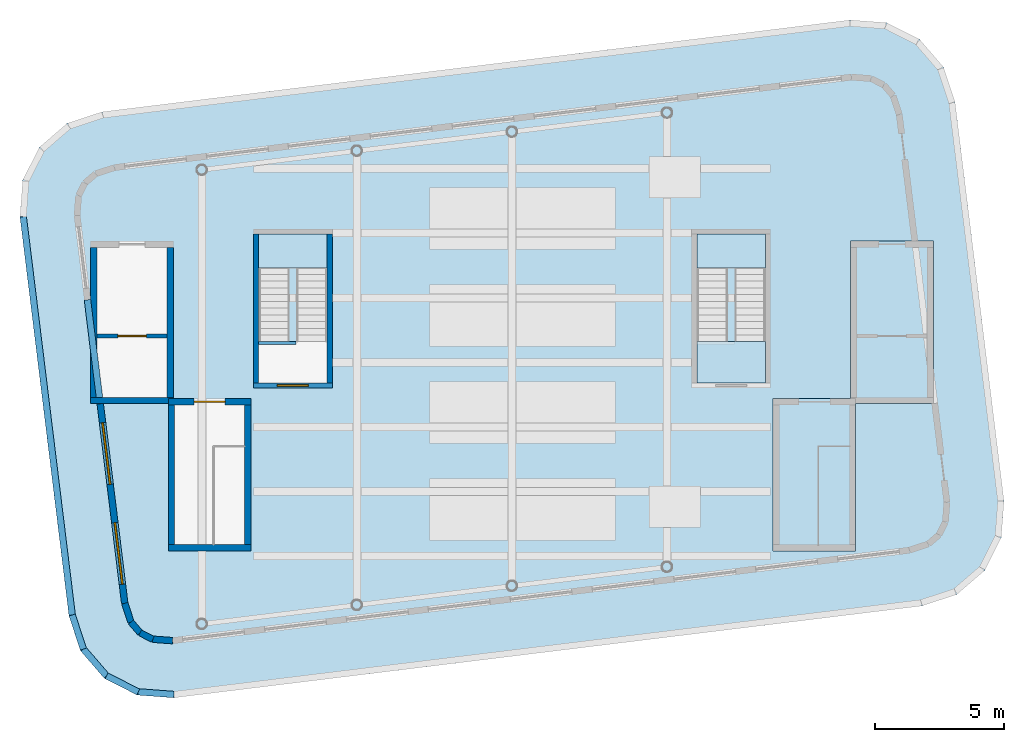
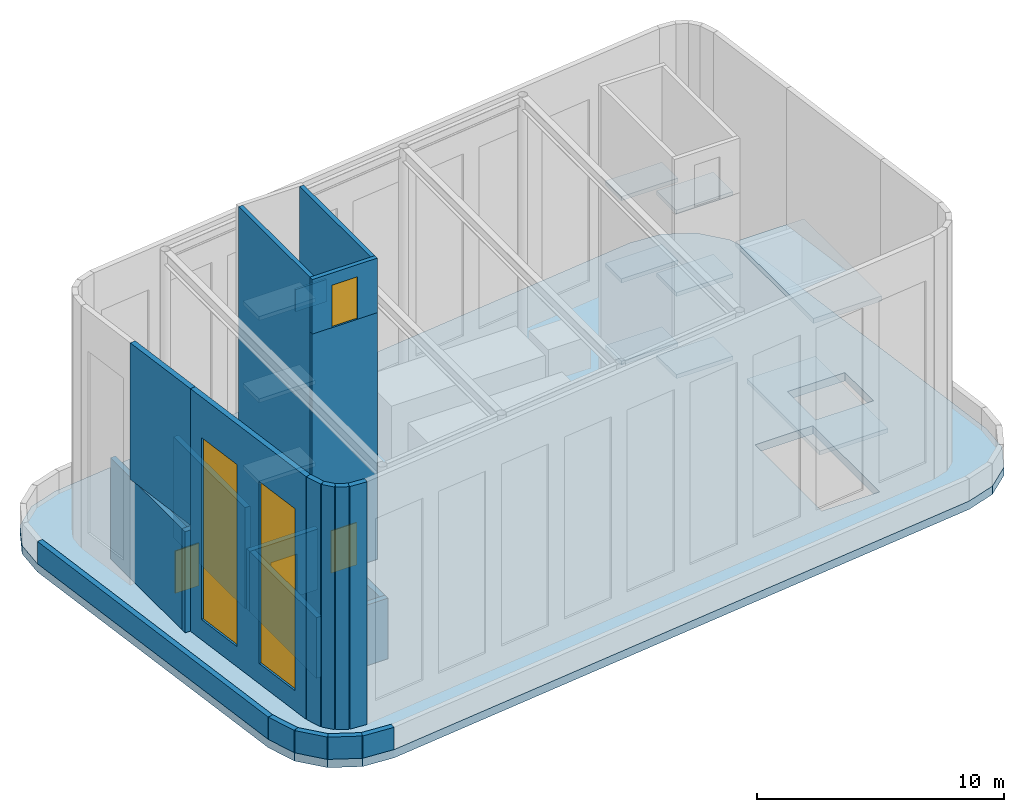
# One storey, part 2 of 7: 24 walls, 12 slabs, 4 doors, 2 windows, 6 openings, 2 elements without a shape of their own.
"""IFC4 building model written with IfcOpenShell, lengths in metres."""

from ifc_helpers import new_model, si_unit, direction, frame, frame_2d, origin, place, context, subcontext, project, spatial, polyline, rectangle, outline, extrude, material, layer, layer_set, type_object, element, fill, aggregate, save


model = new_model("IFC4")

# Units and contexts
model_context = context("Model", 3, precision=1e-05, world=origin(), true_north=direction((0.0, 1.0)))
body_context = subcontext(model_context, "Body", "Model", "MODEL_VIEW")
ifc_project = project(units=[si_unit("LENGTHUNIT", "METRE"), si_unit("AREAUNIT", "SQUARE_METRE"), si_unit("VOLUMEUNIT", "CUBIC_METRE"), si_unit("PLANEANGLEUNIT", "RADIAN"), si_unit("MASSUNIT", "GRAM", prefix="KILO")], contexts=[model_context])

# Site, building, storey
site_placement = place(None, origin())
site = spatial("IfcSite", under=ifc_project, at=site_placement, CompositionType="ELEMENT")
building_placement = place(site_placement, origin())
building = spatial("IfcBuilding", under=site, at=building_placement, Name="Torana Hotel and Residences", CompositionType="ELEMENT")
storey_placement = place(building_placement, frame((0.0, 0.0, 363.39990234375)))
storey = spatial("IfcBuildingStorey", under=building, at=storey_placement, Name="RF", CompositionType="ELEMENT", Elevation=363.39990234375)

# Slabs
ifc_material_1 = material(Name="Concrete C40/50", Category="concrete")
ifc_layer_1 = layer(ifc_material_1, 0.409912109375)
ifc_layer_set_1 = layer_set([ifc_layer_1], Name="FLOOR SLAB PT 410")
slab_type_1 = type_object("IfcSlabType", Name="FLOOR SLAB PT 410", PredefinedType="FLOOR", material=ifc_layer_set_1)
slab_1_placement = place(storey_placement, frame((0.0, 0.0, -0.409912109375)))
element("IfcSlab", 1, at=slab_1_placement, inside=storey, type_object=slab_type_1, Name="Roof deck slab", PredefinedType="FLOOR", context=body_context, shape_type="SweptSolid", body=[
    extrude(outline(polyline([(17.1416015625, 2.57421875), (16.696044921875, 3.9248046875), (15.767822265625, 5.002197265625), (14.497802734375, 5.642333984375), (13.07958984375, 5.747802734375), (-15.86328125, 2.194091796875), (-17.2138671875, 1.74853515625), (-18.291259765625, 0.8203125), (-18.931396484375, -0.44970703125), (-19.036865234375, -1.867919921875), (-17.1416015625, -17.30419921875), (-16.696044921875, -18.65478515625), (-15.767822265625, -19.732177734375), (-14.497802734375, -20.372314453125), (-13.07958984375, -20.477783203125), (15.86328125, -16.924072265625), (17.2138671875, -16.478515625), (18.291259765625, -15.55029296875), (18.931396484375, -14.2802734375), (19.036865234375, -12.862060546875), (17.1416015625, 2.57421875)]), holes=[polyline([(-13.050048828125, -14.550048828125), (-10.35009765625, -14.550048828125), (-10.35009765625, -9.14990234375), (-13.050048828125, -9.14990234375), (-13.050048828125, -14.550048828125)]), polyline([(10.35009765625, -14.550048828125), (13.050048828125, -14.550048828125), (13.050048828125, -9.14990234375), (10.35009765625, -9.14990234375), (10.35009765625, -14.550048828125)]), polyline([(-16.050048828125, -8.85009765625), (-13.35009765625, -8.85009765625), (-13.35009765625, -6.550048828125), (-16.050048828125, -6.550048828125), (-16.050048828125, -8.85009765625)]), polyline([(13.35009765625, -8.85009765625), (16.050048828125, -8.85009765625), (16.050048828125, -6.550048828125), (13.35009765625, -6.550048828125), (13.35009765625, -8.85009765625)])]), origin(), (0.0, 0.0, 1.0), 0.409912109375),
])
ifc_material_2 = material(Name="Concrete C40/50", Category="concrete")
ifc_layer_2 = layer(ifc_material_2, 0.199951171875)
ifc_layer_set_2 = layer_set([ifc_layer_2], Name="HEAD-HOUSE ROOF SLAB 200")
slab_type_2 = type_object("IfcSlabType", Name="HEAD-HOUSE ROOF SLAB 200", PredefinedType="ROOF", material=ifc_layer_set_2)
slab_2_placement = place(storey_placement, frame((0.0, 0.0, 3.0)))
element("IfcSlab", 2, at=slab_2_placement, inside=storey, type_object=slab_type_2, Name="Stair head-house roof ST3", PredefinedType="ROOF", context=body_context, shape_type="SweptSolid", body=[
    extrude(outline(polyline([(10.10009765625, -14.800048828125), (13.300048828125, -14.800048828125), (13.300048828125, -8.89990234375), (10.10009765625, -8.89990234375), (10.10009765625, -14.800048828125)])), origin(), (0.0, 0.0, 1.0), 0.2001953125),
])
ifc_material_3 = material(Name="Concrete C40/50", Category="concrete")
ifc_layer_3 = layer(ifc_material_3, 0.25)
ifc_layer_set_3 = layer_set([ifc_layer_3], Name="LIFT PENTHOUSE ROOF SLAB 250")
slab_type_3 = type_object("IfcSlabType", Name="LIFT PENTHOUSE ROOF SLAB 250", PredefinedType="ROOF", material=ifc_layer_set_3)
slab_3_placement = place(storey_placement, frame((0.0, 0.0, 5.0)))
element("IfcSlab", 3, at=slab_3_placement, inside=storey, type_object=slab_type_3, Name="Lift penthouse roof E", PredefinedType="ROOF", context=body_context, shape_type="SweptSolid", body=[
    extrude(outline(polyline([(13.10009765625, -9.10009765625), (16.300048828125, -9.10009765625), (16.300048828125, -2.800048828125), (13.10009765625, -2.800048828125), (13.10009765625, -9.10009765625)])), origin(), (0.0, 0.0, 1.0), 0.25),
])

# Stair, slabs
ifc_material_4 = material(Name="Concrete C40/50 precast", Category="concrete")
stair_type_1 = type_object("IfcStairType", Name="STAIR ST6 HALF TURN 1200", PredefinedType="HALF_TURN_STAIR", material=ifc_material_4)
stair_1_placement = place(storey_placement, origin())
stair_1 = element("IfcStair", 4, at=stair_1_placement, inside=storey, type_object=stair_type_1, Name="Stair ST6 to the plant roof", PredefinedType="HALF_TURN_STAIR")
ifc_material_5 = material(Name="Concrete C40/50 precast", Category="concrete")
ifc_layer_4 = layer(ifc_material_5, 0.199951171875)
ifc_layer_set_4 = layer_set([ifc_layer_4], Name="STAIR LANDING 200")
slab_type_4 = type_object("IfcSlabType", Name="STAIR LANDING 200", PredefinedType="LANDING", material=ifc_layer_set_4)
slab_4_placement = place(storey_placement, frame((0.0, 0.0, 1.83349609375)))
slab_4 = element("IfcSlab", 5, at=slab_4_placement, type_object=slab_type_4, Name="ST6 landing 1", PredefinedType="LANDING", context=body_context, shape_type="SweptSolid", body=[
    extrude(outline(polyline([(-9.800048828125, -3.840087890625), (-7.14990234375, -3.840087890625), (-7.14990234375, -2.5400390625), (-9.800048828125, -2.5400390625), (-9.800048828125, -3.840087890625)])), origin(), (0.0, 0.0, 1.0), 0.199951171875),
])
slab_5_placement = place(storey_placement, frame((0.0, 0.0, 5.900146484375)))
slab_5 = element("IfcSlab", 6, at=slab_5_placement, type_object=slab_type_4, Name="ST6 landing 2", PredefinedType="LANDING", context=body_context, shape_type="SweptSolid", body=[
    extrude(outline(polyline([(-9.800048828125, -3.840087890625), (-7.14990234375, -3.840087890625), (-7.14990234375, -2.5400390625), (-9.800048828125, -2.5400390625), (-9.800048828125, -3.840087890625)])), origin(), (0.0, 0.0, 1.0), 0.199951171875),
])
slab_6_placement = place(storey_placement, frame((0.0, 0.0, 9.966796875)))
slab_6 = element("IfcSlab", 7, at=slab_6_placement, type_object=slab_type_4, Name="ST6 landing 4", PredefinedType="LANDING", context=body_context, shape_type="SweptSolid", body=[
    extrude(outline(polyline([(-9.800048828125, -3.840087890625), (-7.14990234375, -3.840087890625), (-7.14990234375, -2.5400390625), (-9.800048828125, -2.5400390625), (-9.800048828125, -3.840087890625)])), origin(), (0.0, 0.0, 1.0), 0.199951171875),
])
aggregate(stair_1, [slab_4, slab_5, slab_6])

ifc_material_6 = material(Name="Concrete C40/50 precast", Category="concrete")
stair_type_2 = type_object("IfcStairType", Name="STAIR ST7 HALF TURN 1200", PredefinedType="HALF_TURN_STAIR", material=ifc_material_6)
stair_2_placement = place(storey_placement, origin())
stair_2 = element("IfcStair", 8, at=stair_2_placement, inside=storey, type_object=stair_type_2, Name="Stair ST7 to the plant roof", PredefinedType="HALF_TURN_STAIR")
slab_7_placement = place(storey_placement, frame((0.0, 0.0, 1.83349609375)))
slab_7 = element("IfcSlab", 9, at=slab_7_placement, type_object=slab_type_4, Name="ST7 landing 1", PredefinedType="LANDING", context=body_context, shape_type="SweptSolid", body=[
    extrude(outline(polyline([(7.14990234375, -3.840087890625), (9.800048828125, -3.840087890625), (9.800048828125, -2.5400390625), (7.14990234375, -2.5400390625), (7.14990234375, -3.840087890625)])), origin(), (0.0, 0.0, 1.0), 0.199951171875),
])
slab_8_placement = place(storey_placement, frame((0.0, 0.0, 5.900146484375)))
slab_8 = element("IfcSlab", 10, at=slab_8_placement, type_object=slab_type_4, Name="ST7 landing 2", PredefinedType="LANDING", context=body_context, shape_type="SweptSolid", body=[
    extrude(outline(polyline([(7.14990234375, -3.840087890625), (9.800048828125, -3.840087890625), (9.800048828125, -2.5400390625), (7.14990234375, -2.5400390625), (7.14990234375, -3.840087890625)])), origin(), (0.0, 0.0, 1.0), 0.199951171875),
])
slab_9_placement = place(storey_placement, frame((0.0, 0.0, 3.86669921875)))
slab_9 = element("IfcSlab", 11, at=slab_9_placement, type_object=slab_type_4, Name="ST7 landing 3", PredefinedType="LANDING", context=body_context, shape_type="SweptSolid", body=[
    extrude(outline(polyline([(7.14990234375, -8.300048828125), (9.800048828125, -8.300048828125), (9.800048828125, -6.699951171875), (7.14990234375, -6.699951171875), (7.14990234375, -8.300048828125)])), origin(), (0.0, 0.0, 1.0), 0.2001953125),
])
slab_10_placement = place(storey_placement, frame((0.0, 0.0, 9.966796875)))
slab_10 = element("IfcSlab", 12, at=slab_10_placement, type_object=slab_type_4, Name="ST7 landing 4", PredefinedType="LANDING", context=body_context, shape_type="SweptSolid", body=[
    extrude(outline(polyline([(7.14990234375, -3.840087890625), (9.800048828125, -3.840087890625), (9.800048828125, -2.5400390625), (7.14990234375, -2.5400390625), (7.14990234375, -3.840087890625)])), origin(), (0.0, 0.0, 1.0), 0.199951171875),
])
slab_11_placement = place(storey_placement, frame((0.0, 0.0, 7.933349609375)))
slab_11 = element("IfcSlab", 13, at=slab_11_placement, type_object=slab_type_4, Name="ST7 landing 5", PredefinedType="LANDING", context=body_context, shape_type="SweptSolid", body=[
    extrude(outline(polyline([(7.14990234375, -8.300048828125), (9.800048828125, -8.300048828125), (9.800048828125, -6.699951171875), (7.14990234375, -6.699951171875), (7.14990234375, -8.300048828125)])), origin(), (0.0, 0.0, 1.0), 0.199951171875),
])
slab_12_placement = place(storey_placement, frame((0.0, 0.0, 12.0)))
slab_12 = element("IfcSlab", 14, at=slab_12_placement, type_object=slab_type_4, Name="ST7 landing 6", PredefinedType="LANDING", context=body_context, shape_type="SweptSolid", body=[
    extrude(outline(polyline([(7.14990234375, -8.300048828125), (9.800048828125, -8.300048828125), (9.800048828125, -6.699951171875), (7.14990234375, -6.699951171875), (7.14990234375, -8.300048828125)])), origin(), (0.0, 0.0, 1.0), 0.2001953125),
])
aggregate(stair_2, [slab_7, slab_8, slab_9, slab_10, slab_11, slab_12])

# Wall, opening, door
ifc_material_7 = material(Name="Concrete C50/60", Category="concrete")
ifc_layer_5 = layer(ifc_material_7, 0.25)
ifc_layer_set_5 = layer_set([ifc_layer_5], Name="CORE WALL 250 C50/60")
wall_type_1 = type_object("IfcWallType", Name="CORE WALL 250 C50/60", PredefinedType="SHEAR", material=ifc_layer_set_5)
wall_1_placement = place(storey_placement, frame((-13.300048828125, -9.02490234375, 0.0), z_axis=(0.0, 0.0, 1.0), x_axis=(1.0, 0.0, 0.0)))
wall_1 = element("IfcWall", 15, at=wall_1_placement, inside=storey, type_object=wall_type_1, Name="Stair head-house wall ST1", PredefinedType="SHEAR", context=body_context, shape_type="SweptSolid", body=[
    extrude(rectangle(XDim=3.199951171875, YDim=0.25, at=frame_2d((1.60009765625, 0.0))), origin(), (0.0, 0.0, 1.0), 3.0),
])
opening_1_placement = place(wall_1_placement, frame((1.0, 0.0, 0.0)))
opening_1 = element("IfcOpeningElement", 16, at=opening_1_placement, cuts=wall_1, Name="Opening RF-02", PredefinedType="OPENING", context=body_context, shape_type="SweptSolid", body=[
    extrude(rectangle(XDim=1.199951171875, YDim=2.10009765625, at=frame_2d((0.60009765625, 1.050048828125))), frame((0.0, 0.135009765625, 0.0), z_axis=(0.0, -1.0, 0.0), x_axis=(1.0, 0.0, 0.0)), (0.0, 0.0, 1.0), 0.27001953125),
])
ifc_material_8 = material(Name="Steel S235", Category="steel")
door_type_1 = type_object("IfcDoorType", Name="STAIR FIRE DOOR D3 1200x2100", OperationType="SINGLE_SWING_LEFT", PredefinedType="DOOR", material=ifc_material_8)
door_1_placement = place(opening_1_placement, frame((0.60009765625, 0.0, 0.0), z_axis=(0.0, 0.0, 1.0), x_axis=(-1.0, 0.0, 0.0)))
door_1 = element("IfcDoor", 17, at=door_1_placement, inside=storey, type_object=door_type_1, Name="Stair ST1 head-house door", OperationType="SINGLE_SWING_LEFT", OverallHeight=2.10009765625, OverallWidth=1.199951171875, PredefinedType="DOOR", context=body_context, shape_type="SweptSolid", body=[
    extrude(rectangle(XDim=1.199951171875, YDim=2.10009765625, at=frame_2d((0.0, 1.050048828125))), frame((0.0, -0.02490234375, 0.0), z_axis=(0.0, 1.0, 0.0), x_axis=(-1.0, 0.0, 0.0)), (0.0, 0.0, 1.0), 0.050048828125),
])
fill(opening_1, door_1)

# Walls
wall_2_placement = place(storey_placement, frame((-13.300048828125, -14.675048828125, 0.0), z_axis=(0.0, 0.0, 1.0), x_axis=(1.0, 0.0, 0.0)))
element("IfcWall", 18, at=wall_2_placement, inside=storey, type_object=wall_type_1, Name="Stair head-house wall ST1", PredefinedType="SHEAR", context=body_context, shape_type="SweptSolid", body=[
    extrude(rectangle(XDim=3.199951171875, YDim=0.25, at=frame_2d((1.60009765625, 0.0))), origin(), (0.0, 0.0, 1.0), 3.0),
])
for number, where, z_axis, x_axis, name in (
    (19, (-13.175048828125, -14.550048828125, 0.0), (0.0, 0.0, 1.0), (0.0, 1.0, 0.0), "Stair head-house wall ST1"),
    (20, (-10.22509765625, -14.550048828125, 0.0), (0.0, 0.0, 1.0), (0.0, 1.0, 0.0), "Stair head-house wall ST1"),
):
    element("IfcWall", number, at=place(storey_placement, frame(where, z_axis=z_axis, x_axis=x_axis)), inside=storey, type_object=wall_type_1, Name=name, PredefinedType="SHEAR", context=body_context, shape_type="SweptSolid", body=[
        extrude(rectangle(XDim=5.400146484375, YDim=0.25, at=frame_2d((2.7001953125, 0.0))), origin(), (0.0, 0.0, 1.0), 3.0),
    ])
wall_3_placement = place(storey_placement, frame((-16.300048828125, -8.97509765625, 0.0), z_axis=(0.0, 0.0, 1.0), x_axis=(1.0, 0.0, 0.0)))
element("IfcWall", 21, at=wall_3_placement, inside=storey, type_object=wall_type_1, Name="Lift penthouse wall W", PredefinedType="SHEAR", context=body_context, shape_type="SweptSolid", body=[
    extrude(rectangle(XDim=3.199951171875, YDim=0.25, at=frame_2d((1.60009765625, 0.0))), origin(), (0.0, 0.0, 1.0), 5.0),
])
for number, where, z_axis, x_axis, name in (
    (22, (-16.175048828125, -8.85009765625, 0.0), (0.0, 0.0, 1.0), (0.0, 1.0, 0.0), "Lift penthouse wall W"),
    (23, (-13.22509765625, -8.85009765625, 0.0), (0.0, 0.0, 1.0), (0.0, 1.0, 0.0), "Lift penthouse wall W"),
):
    element("IfcWall", number, at=place(storey_placement, frame(where, z_axis=z_axis, x_axis=x_axis)), inside=storey, type_object=wall_type_1, Name=name, PredefinedType="SHEAR", context=body_context, shape_type="SweptSolid", body=[
        extrude(rectangle(XDim=5.800048828125, YDim=0.25, at=frame_2d((2.89990234375, 0.0))), origin(), (0.0, 0.0, 1.0), 5.0),
    ])
ifc_material_9 = material(Name="Aluminium louvre wall", Category="aluminium")
ifc_layer_6 = layer(ifc_material_9, 0.25)
ifc_layer_set_6 = layer_set([ifc_layer_6], Name="EW3 LOUVRE WALL 250")
wall_type_2 = type_object("IfcWallType", Name="EW3 LOUVRE WALL 250", PredefinedType="SOLIDWALL", material=ifc_layer_set_6)
wall_4_placement = place(storey_placement, frame((-13.132568359375, -18.267578125, 0.0), z_axis=(0.0, 0.0, 1.0), x_axis=(-0.997252988876, 0.074070751166, 0.0)))
element("IfcWall", 24, at=wall_4_placement, inside=storey, type_object=wall_type_2, Name="Plant enclosure louvre wall 7", PredefinedType="SOLIDWALL", context=body_context, shape_type="SweptSolid", body=[
    extrude(rectangle(XDim=0.76806640625, YDim=0.25, at=frame_2d((0.384033203125, 0.0))), origin(), (0.0, 0.0, 1.0), 12.0),
])
wall_5_placement = place(storey_placement, frame((-13.8984375, -18.210693359375, 0.0), z_axis=(0.0, 0.0, 1.0), x_axis=(-0.892993836049, 0.450068893369, 0.0)))
element("IfcWall", 25, at=wall_5_placement, inside=storey, type_object=wall_type_2, Name="Plant enclosure louvre wall 8", PredefinedType="SOLIDWALL", context=body_context, shape_type="SweptSolid", body=[
    extrude(rectangle(XDim=0.546875, YDim=0.25, at=frame_2d((0.2734375, 0.0))), origin(), (0.0, 0.0, 1.0), 12.0),
])
wall_6_placement = place(storey_placement, frame((-14.38671875, -17.964599609375, 0.0), z_axis=(0.0, 0.0, 1.0), x_axis=(-0.652957279605, 0.757394739228, 0.0)))
element("IfcWall", 26, at=wall_6_placement, inside=storey, type_object=wall_type_2, Name="Plant enclosure louvre wall 9", PredefinedType="SOLIDWALL", context=body_context, shape_type="SweptSolid", body=[
    extrude(rectangle(XDim=0.547119140625, YDim=0.25, at=frame_2d((0.2734375, 0.0))), origin(), (0.0, 0.0, 1.0), 12.0),
])
wall_7_placement = place(storey_placement, frame((-14.743896484375, -17.55029296875, 0.0), z_axis=(0.0, 0.0, 1.0), x_axis=(-0.313079340713, 0.949726974671, 0.0)))
element("IfcWall", 27, at=wall_7_placement, inside=storey, type_object=wall_type_2, Name="Plant enclosure louvre wall 10", PredefinedType="SOLIDWALL", context=body_context, shape_type="SweptSolid", body=[
    extrude(rectangle(XDim=0.76806640625, YDim=0.25, at=frame_2d((0.384033203125, 0.0))), origin(), (0.0, 0.0, 1.0), 12.0),
])

# Wall, openings, windows
wall_8_placement = place(storey_placement, frame((-14.984375, -16.82080078125, 0.0), z_axis=(0.0, 0.0, 1.0), x_axis=(-0.121855495288, 0.992547851878, 0.0)))
wall_8 = element("IfcWall", 28, at=wall_8_placement, inside=storey, type_object=wall_type_2, Name="Plant enclosure louvre wall 11", PredefinedType="SOLIDWALL", context=body_context, shape_type="SweptSolid", body=[
    extrude(rectangle(XDim=7.777587890625, YDim=0.25, at=frame_2d((3.888671875, 0.0))), origin(), (0.0, 0.0, 1.0), 12.0),
])
opening_2_placement = place(wall_8_placement, frame((0.744384765625, 0.0, 1.0)))
opening_2 = element("IfcOpeningElement", 29, at=opening_2_placement, cuts=wall_8, Name="Opening LV3", PredefinedType="OPENING", context=body_context, shape_type="SweptSolid", body=[
    extrude(rectangle(XDim=2.39990234375, YDim=9.0, at=frame_2d((1.199951171875, 4.5))), frame((0.0, 0.135009765625, 0.0), z_axis=(0.0, -1.0, 0.0), x_axis=(1.0, 0.0, 0.0)), (0.0, 0.0, 1.0), 0.27001953125),
])
opening_3_placement = place(wall_8_placement, frame((4.63330078125, 0.0, 1.0)))
opening_3 = element("IfcOpeningElement", 30, at=opening_3_placement, cuts=wall_8, Name="Opening LV3", PredefinedType="OPENING", context=body_context, shape_type="SweptSolid", body=[
    extrude(rectangle(XDim=2.39990234375, YDim=9.0, at=frame_2d((1.199951171875, 4.5))), frame((0.0, 0.135009765625, 0.0), z_axis=(0.0, -1.0, 0.0), x_axis=(1.0, 0.0, 0.0)), (0.0, 0.0, 1.0), 0.27001953125),
])
ifc_material_10 = material(Name="Aluminium louvre blades", Category="aluminium")
window_type = type_object("IfcWindowType", Name="LV3 LOUVRE 2400x9000", PartitioningType="SINGLE_PANEL", PredefinedType="USERDEFINED", material=ifc_material_10)
window_1_placement = place(opening_2_placement, origin())
window_1 = element("IfcWindow", 31, at=window_1_placement, inside=storey, type_object=window_type, Name="Plant enclosure louvre", ObjectType="LOUVRE", OverallHeight=9.0, OverallWidth=2.39990234375, PartitioningType="SINGLE_PANEL", PredefinedType="USERDEFINED", context=body_context, shape_type="SweptSolid", body=[
    extrude(rectangle(XDim=2.39990234375, YDim=9.0, at=frame_2d((1.199951171875, 4.5))), frame((0.0, 0.030029296875, 0.0), z_axis=(0.0, -1.0, 0.0), x_axis=(1.0, 0.0, 0.0)), (0.0, 0.0, 1.0), 0.06005859375),
])
fill(opening_2, window_1)
window_2_placement = place(opening_3_placement, origin())
window_2 = element("IfcWindow", 32, at=window_2_placement, inside=storey, type_object=window_type, Name="Plant enclosure louvre", ObjectType="LOUVRE", OverallHeight=9.0, OverallWidth=2.39990234375, PartitioningType="SINGLE_PANEL", PredefinedType="USERDEFINED", context=body_context, shape_type="SweptSolid", body=[
    extrude(rectangle(XDim=2.39990234375, YDim=9.0, at=frame_2d((1.199951171875, 4.5))), frame((0.0, 0.030029296875, 0.0), z_axis=(0.0, -1.0, 0.0), x_axis=(1.0, 0.0, 0.0)), (0.0, 0.0, 1.0), 0.06005859375),
])
fill(opening_3, window_2)

# Wall
wall_9_placement = place(storey_placement, frame((-15.93212890625, -9.10107421875, 5.25), z_axis=(0.0, 0.0, 1.0), x_axis=(-0.121884012435, 0.992544350401, 0.0)))
element("IfcWall", 33, at=wall_9_placement, inside=storey, type_object=wall_type_2, Name="Plant enclosure louvre wall 11", PredefinedType="SOLIDWALL", context=body_context, shape_type="SweptSolid", body=[
    extrude(rectangle(XDim=4.05224609375, YDim=0.25, at=frame_2d((2.026123046875, 0.0))), origin(), (0.0, 0.0, 1.0), 6.75),
])

# Wall, opening, door
ifc_material_11 = material(Name="Concrete C40/50", Category="concrete")
ifc_layer_7 = layer(ifc_material_11, 0.14990234375)
ifc_layer_set_7 = layer_set([ifc_layer_7], Name="LIFT SHAFT WALL 150")
wall_type_3 = type_object("IfcWallType", Name="LIFT SHAFT WALL 150", PredefinedType="PARTITIONING", material=ifc_layer_set_7)
wall_10_placement = place(storey_placement, frame((-16.050048828125, -6.47509765625, 0.0), z_axis=(0.0, 0.0, 1.0), x_axis=(1.0, 0.0, 0.0)))
wall_10 = element("IfcWall", 34, at=wall_10_placement, inside=storey, type_object=wall_type_3, Name="Lift shaft wall FF1 RF", PredefinedType="PARTITIONING", context=body_context, shape_type="SweptSolid", body=[
    extrude(rectangle(XDim=2.699951171875, YDim=0.14990234375, at=frame_2d((1.35009765625, 0.0))), origin(), (0.0, 0.0, 1.0), 5.0),
])
opening_4_placement = place(wall_10_placement, frame((0.800048828125, 0.0, 0.0)))
opening_4 = element("IfcOpeningElement", 35, at=opening_4_placement, cuts=wall_10, Name="Opening LD", PredefinedType="OPENING", context=body_context, shape_type="SweptSolid", body=[
    extrude(rectangle(XDim=1.10009765625, YDim=2.10009765625, at=frame_2d((0.550048828125, 1.050048828125))), frame((0.0, 0.0849609375, 0.0), z_axis=(0.0, -1.0, 0.0), x_axis=(1.0, 0.0, 0.0)), (0.0, 0.0, 1.0), 0.169921875),
])
ifc_material_12 = material(Name="Stainless steel 316", Category="steel")
door_type_2 = type_object("IfcDoorType", Name="LIFT LANDING DOOR LD 1100x2100", OperationType="DOUBLE_DOOR_SLIDING", PredefinedType="USERDEFINED", material=ifc_material_12)
door_2_placement = place(opening_4_placement, origin())
door_2 = element("IfcDoor", 36, at=door_2_placement, inside=storey, type_object=door_type_2, Name="Lift landing door FF1 RF", ObjectType="LIFT LANDING DOOR", OperationType="DOUBLE_DOOR_SLIDING", OverallHeight=2.10009765625, OverallWidth=1.10009765625, PredefinedType="USERDEFINED", context=body_context, shape_type="SweptSolid", body=[
    extrude(rectangle(XDim=1.10009765625, YDim=2.10009765625, at=frame_2d((0.550048828125, 1.050048828125))), frame((0.0, 0.02490234375, 0.0), z_axis=(0.0, -1.0, 0.0), x_axis=(1.0, 0.0, 0.0)), (0.0, 0.0, 1.0), 0.050048828125),
])
fill(opening_4, door_2)

# Walls
ifc_material_13 = material(Name="Aluminium coping with drip", Category="aluminium")
ifc_layer_8 = layer(ifc_material_13, 0.0029296875, Name="Coping flashing", Category="flashing")
ifc_material_14 = material(Name="Concrete C40/50 precast", Category="concrete")
ifc_layer_9 = layer(ifc_material_14, 0.00390625, Name="Cladding", Category="cladding")
ifc_material_15 = material(Name="Concrete C40/50", Category="concrete")
ifc_layer_10 = layer(ifc_material_15, 0.199951171875, Name="Wall", Category="structure")
ifc_material_16 = material(Name="Mineral wool insulation")
ifc_layer_11 = layer(ifc_material_16, 0.0400390625, Name="Insulation", Category="insulation")
ifc_material_17 = material(Name="Waterproofing upstand")
ifc_layer_12 = layer(ifc_material_17, 0.0029296875, Name="Upstand membrane", Category="membrane")
ifc_layer_set_8 = layer_set([ifc_layer_8, ifc_layer_9, ifc_layer_10, ifc_layer_11, ifc_layer_12], Name="PP1 PARAPET 250")
wall_type_4 = type_object("IfcWallType", Name="PP1 PARAPET 250", PredefinedType="PARAPET", material=ifc_layer_set_8)
wall_11_placement = place(storey_placement, frame((-13.08251953125, -20.35205078125, 0.0), z_axis=(0.0, 0.0, 1.0), x_axis=(-0.997255234134, 0.074040515881, 0.0)))
element("IfcWall", 37, at=wall_11_placement, inside=storey, type_object=wall_type_4, Name="Roof parapet RF 7", PredefinedType="PARAPET", context=body_context, shape_type="SweptSolid", body=[
    extrude(rectangle(XDim=1.385009765625, YDim=0.25, at=frame_2d((0.6923828125, 0.0))), origin(), (0.0, 0.0, 1.0), 1.10009765625),
])
for number, where, z_axis, x_axis, name in (
    (38, (-14.463623046875, -20.24951171875, 0.0), (0.0, 0.0, 1.0), (-0.892999555568, 0.450057544938, 0.0), "Roof parapet RF 8"),
    (39, (-15.689208984375, -19.6318359375, 0.0), (0.0, 0.0, 1.0), (-0.652781272351, 0.757546441129, 0.0), "Roof parapet RF 9"),
):
    element("IfcWall", number, at=place(storey_placement, frame(where, z_axis=z_axis, x_axis=x_axis)), inside=storey, type_object=wall_type_4, Name=name, PredefinedType="PARAPET", context=body_context, shape_type="SweptSolid", body=[
        extrude(rectangle(XDim=1.37255859375, YDim=0.25, at=frame_2d((0.686279296875, 0.0))), origin(), (0.0, 0.0, 1.0), 1.10009765625),
    ])
wall_12_placement = place(storey_placement, frame((-16.585205078125, -18.592041015625, 0.0), z_axis=(0.0, 0.0, 1.0), x_axis=(-0.313053161345, 0.949735604351, 0.0)))
element("IfcWall", 40, at=wall_12_placement, inside=storey, type_object=wall_type_4, Name="Roof parapet RF 10", PredefinedType="PARAPET", context=body_context, shape_type="SweptSolid", body=[
    extrude(rectangle(XDim=1.385009765625, YDim=0.25, at=frame_2d((0.6923828125, 0.0))), origin(), (0.0, 0.0, 1.0), 1.10009765625),
])
wall_13_placement = place(storey_placement, frame((-17.018798828125, -17.276611328125, 0.0), z_axis=(0.0, 0.0, 1.0), x_axis=(-0.12187092039, 0.992545958011, 0.0)))
element("IfcWall", 41, at=wall_13_placement, inside=storey, type_object=wall_type_4, Name="Roof parapet RF 11", PredefinedType="PARAPET", context=body_context, shape_type="SweptSolid", body=[
    extrude(rectangle(XDim=15.52734375, YDim=0.25, at=frame_2d((7.763671875, 0.0))), origin(), (0.0, 0.0, 1.0), 1.10009765625),
])
ifc_material_18 = material(Name="Concrete C40/50", Category="concrete")
ifc_layer_13 = layer(ifc_material_18, 0.199951171875)
ifc_layer_set_9 = layer_set([ifc_layer_13], Name="STAIR ENCLOSURE WALL 200 C40/50")
wall_type_5 = type_object("IfcWallType", Name="STAIR ENCLOSURE WALL 200 C40/50", PredefinedType="SHEAR", material=ifc_layer_set_9)
for number, where, z_axis, x_axis, name in (
    (42, (-9.89990234375, -8.300048828125, 0.0), (0.0, 0.0, 1.0), (0.0, 1.0, 0.0), "Stair cell wall ST6 W"),
    (43, (-7.050048828125, -8.300048828125, 0.0), (0.0, 0.0, 1.0), (0.0, 1.0, 0.0), "Stair cell wall ST6 E"),
):
    element("IfcWall", number, at=place(storey_placement, frame(where, z_axis=z_axis, x_axis=x_axis)), inside=storey, type_object=wall_type_5, Name=name, PredefinedType="SHEAR", context=body_context, shape_type="SweptSolid", body=[
        extrude(rectangle(XDim=5.760009765625, YDim=0.199951171875, at=frame_2d((2.8798828125, 0.0))), origin(), (0.0, 0.0, 1.0), 14.900146484375),
    ])

# Wall, opening, door
wall_14_placement = place(storey_placement, frame((-10.0, -8.39990234375, 0.0), z_axis=(0.0, 0.0, 1.0), x_axis=(1.0, 0.0, 0.0)))
wall_14 = element("IfcWall", 44, at=wall_14_placement, inside=storey, type_object=wall_type_5, Name="Stair cell wall ST6 S", PredefinedType="SHEAR", context=body_context, shape_type="SweptSolid", body=[
    extrude(rectangle(XDim=3.050048828125, YDim=0.199951171875, at=frame_2d((1.52490234375, 0.0))), origin(), (0.0, 0.0, 1.0), 12.2001953125),
])
opening_5_placement = place(wall_14_placement, frame((0.925048828125, 0.0, 0.0)))
opening_5 = element("IfcOpeningElement", 45, at=opening_5_placement, cuts=wall_14, Name="Opening RF-05", PredefinedType="OPENING", context=body_context, shape_type="SweptSolid", body=[
    extrude(rectangle(XDim=1.199951171875, YDim=2.10009765625, at=frame_2d((0.60009765625, 1.050048828125))), frame((0.0, 0.10986328125, 0.0), z_axis=(0.0, -1.0, 0.0), x_axis=(1.0, 0.0, 0.0)), (0.0, 0.0, 1.0), 0.219970703125),
])
door_3_placement = place(opening_5_placement, origin())
door_3 = element("IfcDoor", 46, at=door_3_placement, inside=storey, type_object=door_type_1, Name="Stair ST6 door", OperationType="SINGLE_SWING_RIGHT", OverallHeight=2.10009765625, OverallWidth=1.199951171875, PredefinedType="DOOR", context=body_context, shape_type="SweptSolid", body=[
    extrude(rectangle(XDim=1.199951171875, YDim=2.10009765625, at=frame_2d((0.60009765625, 1.050048828125))), frame((0.0, 0.02490234375, 0.0), z_axis=(0.0, -1.0, 0.0), x_axis=(1.0, 0.0, 0.0)), (0.0, 0.0, 1.0), 0.050048828125),
])
fill(opening_5, door_3)

wall_15_placement = place(storey_placement, frame((-10.0, -8.39990234375, 12.2001953125), z_axis=(0.0, 0.0, 1.0), x_axis=(1.0, 0.0, 0.0)))
wall_15 = element("IfcWall", 47, at=wall_15_placement, inside=storey, type_object=wall_type_5, Name="Stair cell wall ST6 head", PredefinedType="SHEAR", context=body_context, shape_type="SweptSolid", body=[
    extrude(rectangle(XDim=3.050048828125, YDim=0.199951171875, at=frame_2d((1.52490234375, 0.0))), origin(), (0.0, 0.0, 1.0), 2.699951171875),
])
opening_6_placement = place(wall_15_placement, frame((0.925048828125, 0.0, 0.0)))
opening_6 = element("IfcOpeningElement", 48, at=opening_6_placement, cuts=wall_15, Name="Opening RF-06", PredefinedType="OPENING", context=body_context, shape_type="SweptSolid", body=[
    extrude(rectangle(XDim=1.199951171875, YDim=2.10009765625, at=frame_2d((0.60009765625, 1.050048828125))), frame((0.0, 0.10986328125, 0.0), z_axis=(0.0, -1.0, 0.0), x_axis=(1.0, 0.0, 0.0)), (0.0, 0.0, 1.0), 0.219970703125),
])
door_4_placement = place(opening_6_placement, frame((0.60009765625, 0.0, 0.0), z_axis=(0.0, 0.0, 1.0), x_axis=(-1.0, 0.0, 0.0)))
door_4 = element("IfcDoor", 49, at=door_4_placement, inside=storey, type_object=door_type_1, Name="Stair ST6 roof deck door", OperationType="SINGLE_SWING_LEFT", OverallHeight=2.10009765625, OverallWidth=1.199951171875, PredefinedType="DOOR", context=body_context, shape_type="SweptSolid", body=[
    extrude(rectangle(XDim=1.199951171875, YDim=2.10009765625, at=frame_2d((0.0, 1.050048828125))), frame((0.0, -0.02490234375, 0.0), z_axis=(0.0, 1.0, 0.0), x_axis=(-1.0, 0.0, 0.0)), (0.0, 0.0, 1.0), 0.050048828125),
])
fill(opening_6, door_4)

# Wall
ifc_material_19 = material(Name="Concrete C40/50", Category="concrete")
ifc_layer_14 = layer(ifc_material_19, 0.10009765625)
ifc_layer_set_10 = layer_set([ifc_layer_14], Name="STAIR LANDING KERB WALL 100")
wall_type_6 = type_object("IfcWallType", Name="STAIR LANDING KERB WALL 100", PredefinedType="PARAPET", material=ifc_layer_set_10)
wall_16_placement = place(storey_placement, frame((-9.800048828125, -6.75, 12.2001953125), z_axis=(0.0, 0.0, 1.0), x_axis=(1.0, 0.0, 0.0)))
element("IfcWall", 50, at=wall_16_placement, inside=storey, type_object=wall_type_6, Name="Stair ST6 landing kerb wall", PredefinedType="PARAPET", context=body_context, shape_type="SweptSolid", body=[
    extrude(rectangle(XDim=1.449951171875, YDim=0.10009765625, at=frame_2d((0.72509765625, 0.0))), origin(), (0.0, 0.0, 1.0), 1.099853515625),
])

save(model, "model.ifc")
